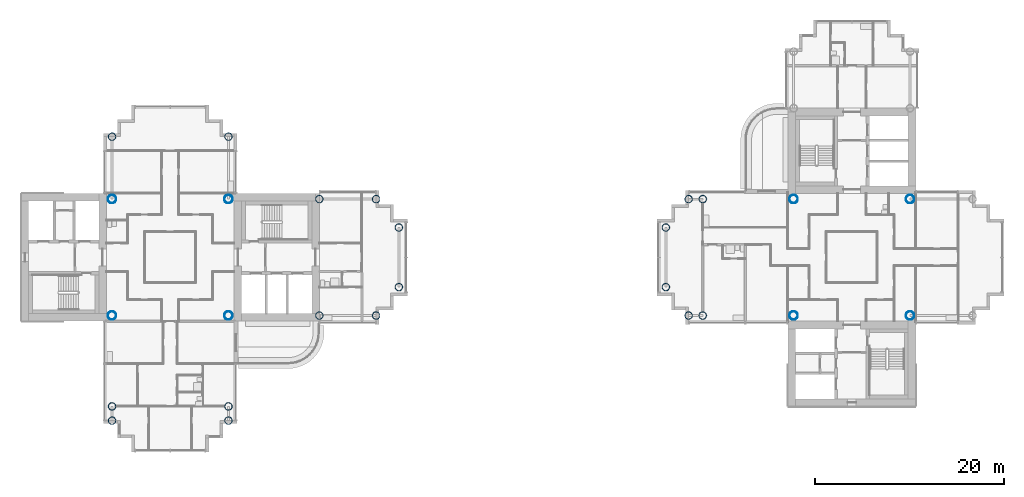
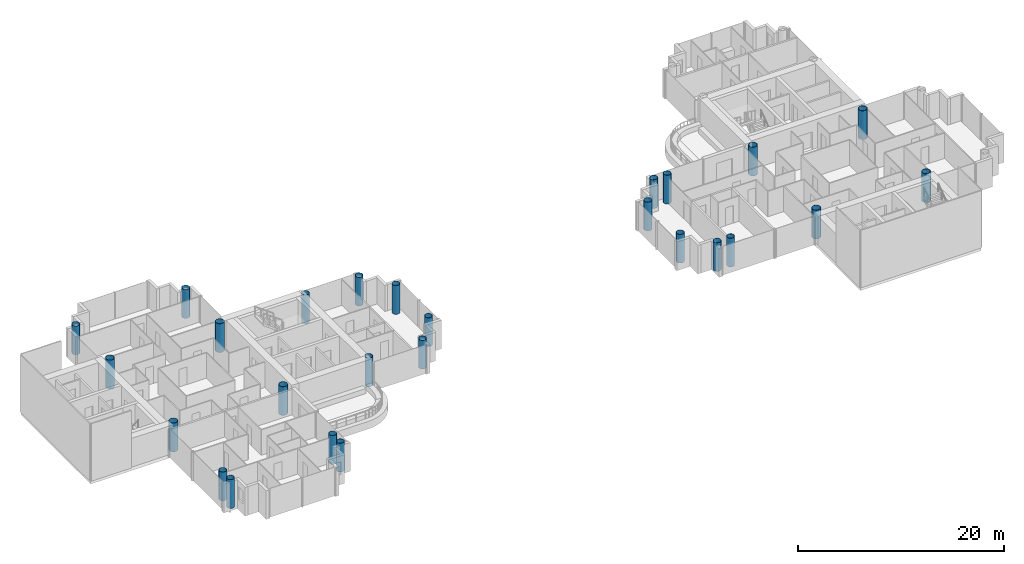
# One storey, part 1 of 19: 26 columns.
"""IFC4 building model written with IfcOpenShell, lengths in metres."""

from ifc_helpers import new_model, si_unit, direction, frame, origin, origin_2d, place, context, subcontext, project, spatial, hollow_circle, extrude, material, material_profile, profile_set, type_object, element, save


model = new_model("IFC4")

# Units and contexts
model_context = context("Model", 3, precision=1e-05, world=origin(), true_north=direction((0.0, 1.0)))
body_context = subcontext(model_context, "Body", "Model", "MODEL_VIEW")
ifc_project = project(units=[si_unit("LENGTHUNIT", "METRE"), si_unit("AREAUNIT", "SQUARE_METRE"), si_unit("VOLUMEUNIT", "CUBIC_METRE"), si_unit("PLANEANGLEUNIT", "RADIAN"), si_unit("MASSUNIT", "GRAM", prefix="KILO")], contexts=[model_context])

# Site, building, storey
site_placement = place(None, origin())
site = spatial("IfcSite", under=ifc_project, at=site_placement, CompositionType="ELEMENT")
building_placement = place(site_placement, origin())
building = spatial("IfcBuilding", under=site, at=building_placement, Name="Ipe Terrace Towers", CompositionType="ELEMENT")
storey_placement = place(building_placement, frame((0.0, 0.0, 140.5)))
storey = spatial("IfcBuildingStorey", under=building, at=storey_placement, Name="L38", CompositionType="ELEMENT", Elevation=140.5)

# Columns
ifc_material_1 = material(Name="Steel S355 tube with Concrete C60/75 fill", Category="concrete")
ifc_material_profile_1 = material_profile(ifc_material_1, hollow_circle(Radius=0.39990234375, WallThickness=0.028076171875, at=origin_2d()), Name="CHS-800x28")
ifc_profile_set_1 = profile_set([ifc_material_profile_1], Name="Steel S355 tube with Concrete C60/75 fill")
column_type_1 = type_object("IfcColumnType", Name="CH09 COLUMN CHS-800x28", PredefinedType="COLUMN", material=ifc_profile_set_1)
for number, where, z_axis, x_axis, name in (
    (1, (-20.25, -6.14990234375, 0.0), (0.0, 0.0, 1.0), (1.0, 0.0, 0.0), "Column T1-C-A01"),
    (2, (-20.25, 6.14990234375, 0.0), (0.0, 0.0, 1.0), (1.0, 0.0, 0.0), "Column T1-C-A02"),
    (3, (-14.25, -6.14990234375, 0.0), (0.0, 0.0, 1.0), (1.0, 0.0, 0.0), "Column T1-C-A03"),
    (4, (-14.25, 6.14990234375, 0.0), (0.0, 0.0, 1.0), (1.0, 0.0, 0.0), "Column T1-C-A04"),
    (5, (-11.85009765625, -3.14990234375, 0.0), (0.0, 0.0, 1.0), (1.0, 0.0, 0.0), "Column T1-C-A05"),
    (6, (-11.85009765625, 3.14990234375, 0.0), (0.0, 0.0, 1.0), (1.0, 0.0, 0.0), "Column T1-C-A06"),
    (7, (-29.85009765625, 12.75, 0.0), (0.0, 0.0, 1.0), (1.0, 0.0, 0.0), "Column T1-C-B01"),
    (8, (-42.14990234375, 12.75, 0.0), (0.0, 0.0, 1.0), (1.0, 0.0, 0.0), "Column T1-C-B02"),
    (9, (-42.14990234375, -15.75, 0.0), (0.0, 0.0, 1.0), (1.0, 0.0, 0.0), "Column T1-C-D03"),
    (10, (-29.85009765625, -15.75, 0.0), (0.0, 0.0, 1.0), (1.0, 0.0, 0.0), "Column T1-C-D04"),
    (11, (-42.14990234375, -17.25, 0.0), (0.0, 0.0, 1.0), (1.0, 0.0, 0.0), "Column T1-C-D05"),
    (12, (-29.85009765625, -17.25, 0.0), (0.0, 0.0, 1.0), (1.0, 0.0, 0.0), "Column T1-C-D06"),
    (13, (20.25, 6.14990234375, 0.0), (0.0, 0.0, 1.0), (1.0, 0.0, 0.0), "Column T2-C-B03"),
    (14, (20.25, -6.14990234375, 0.0), (0.0, 0.0, 1.0), (1.0, 0.0, 0.0), "Column T2-C-B04"),
    (15, (18.75, 6.14990234375, 0.0), (0.0, 0.0, 1.0), (1.0, 0.0, 0.0), "Column T2-C-B05"),
    (16, (18.75, -6.14990234375, 0.0), (0.0, 0.0, 1.0), (1.0, 0.0, 0.0), "Column T2-C-B06"),
    (17, (16.35009765625, 3.14990234375, 0.0), (0.0, 0.0, 1.0), (1.0, 0.0, 0.0), "Column T2-C-B07"),
    (18, (16.35009765625, -3.14990234375, 0.0), (0.0, 0.0, 1.0), (1.0, 0.0, 0.0), "Column T2-C-B08"),
):
    element("IfcColumn", number, at=place(storey_placement, frame(where, z_axis=z_axis, x_axis=x_axis)), inside=storey, type_object=column_type_1, Name=name, PredefinedType="COLUMN", context=body_context, shape_type="SweptSolid", body=[
        extrude(hollow_circle(Radius=0.39990234375, WallThickness=0.028076171875, at=origin_2d()), origin(), (0.0, 0.0, 1.0), 3.39990234375),
    ])
ifc_material_2 = material(Name="Steel S355 tube with Concrete C60/75 fill", Category="concrete")
ifc_material_profile_2 = material_profile(ifc_material_2, hollow_circle(Radius=0.449951171875, WallThickness=0.031982421875, at=origin_2d()), Name="CHS-900x32")
ifc_profile_set_2 = profile_set([ifc_material_profile_2], Name="Steel S355 tube with Concrete C60/75 fill")
column_type_2 = type_object("IfcColumnType", Name="CH10 COLUMN CHS-900x32", PredefinedType="COLUMN", material=ifc_profile_set_2)
for number, where, z_axis, x_axis, name in (
    (19, (-42.14990234375, -6.14990234375, 0.0), (0.0, 0.0, 1.0), (1.0, 0.0, 0.0), "Column T1-C-E01"),
    (20, (-29.85009765625, -6.14990234375, 0.0), (0.0, 0.0, 1.0), (1.0, 0.0, 0.0), "Column T1-C-E02"),
    (21, (-29.85009765625, 6.14990234375, 0.0), (0.0, 0.0, 1.0), (1.0, 0.0, 0.0), "Column T1-C-E03"),
    (22, (-42.14990234375, 6.14990234375, 0.0), (0.0, 0.0, 1.0), (1.0, 0.0, 0.0), "Column T1-C-E04"),
    (23, (42.14990234375, -6.14990234375, 0.0), (0.0, 0.0, 1.0), (1.0, 0.0, 0.0), "Column T2-C-E01"),
    (24, (42.14990234375, 6.14990234375, 0.0), (0.0, 0.0, 1.0), (1.0, 0.0, 0.0), "Column T2-C-E02"),
    (25, (29.85009765625, 6.14990234375, 0.0), (0.0, 0.0, 1.0), (1.0, 0.0, 0.0), "Column T2-C-E03"),
    (26, (29.85009765625, -6.14990234375, 0.0), (0.0, 0.0, 1.0), (1.0, 0.0, 0.0), "Column T2-C-E04"),
):
    element("IfcColumn", number, at=place(storey_placement, frame(where, z_axis=z_axis, x_axis=x_axis)), inside=storey, type_object=column_type_2, Name=name, PredefinedType="COLUMN", context=body_context, shape_type="SweptSolid", body=[
        extrude(hollow_circle(Radius=0.449951171875, WallThickness=0.031982421875, at=origin_2d()), origin(), (0.0, 0.0, 1.0), 3.39990234375),
    ])

save(model, "model.ifc")
